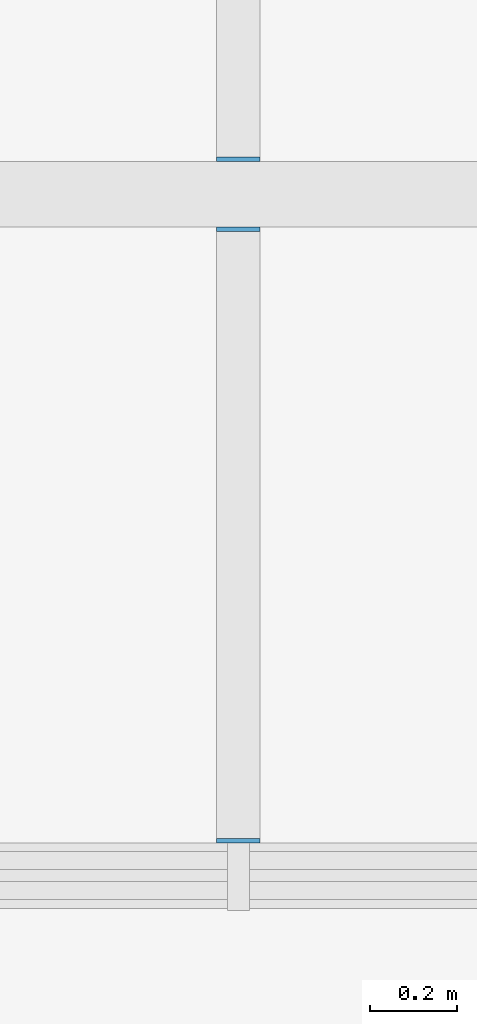
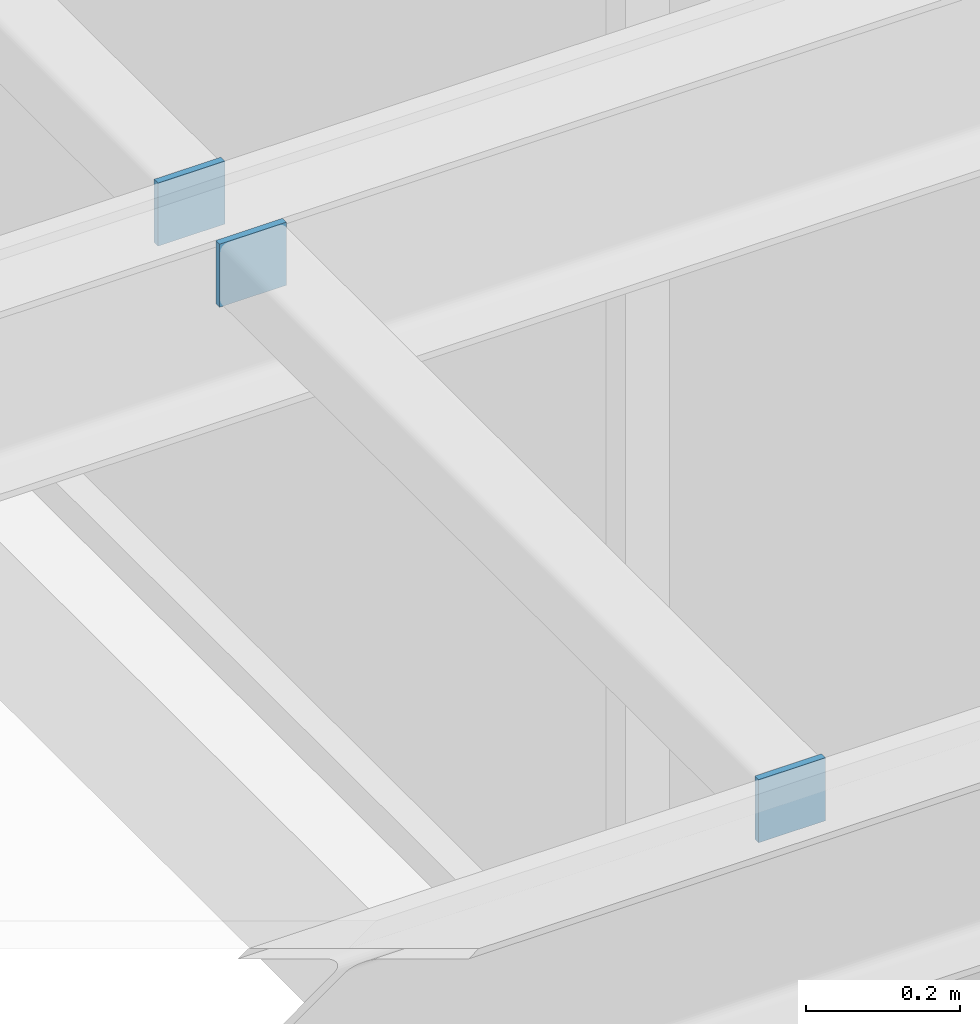
# One storey, part 20 of 25: 3 discrete accessories.
"""IFC4 building model written with IfcOpenShell, lengths in metres."""

from ifc_helpers import new_model, si_unit, direction, frame, origin, origin_2d, place, context, subcontext, project, spatial, rectangle, extrude, material, layer, layer_set, type_object, element, save


model = new_model("IFC4")

# Units and contexts
model_context = context("Model", 3, precision=1e-05, world=origin(), true_north=direction((0.0, 1.0)))
body_context = subcontext(model_context, "Body", "Model", "MODEL_VIEW")
ifc_project = project(units=[si_unit("LENGTHUNIT", "METRE"), si_unit("AREAUNIT", "SQUARE_METRE"), si_unit("VOLUMEUNIT", "CUBIC_METRE"), si_unit("PLANEANGLEUNIT", "RADIAN"), si_unit("MASSUNIT", "GRAM", prefix="KILO")], contexts=[model_context])

# Site, building, storey
site_placement = place(None, origin())
site = spatial("IfcSite", under=ifc_project, at=site_placement, CompositionType="ELEMENT")
building_placement = place(site_placement, origin())
building = spatial("IfcBuilding", under=site, at=building_placement, Name="Aurelan Courthouse", CompositionType="ELEMENT")
storey_placement = place(building_placement, frame((0.0, 0.0, 44.39990234375)))
storey = spatial("IfcBuildingStorey", under=building, at=storey_placement, Name="L08", CompositionType="ELEMENT", Elevation=44.39990234375)

# Discrete accessories
ifc_material = material(Name="Steel S355", Category="steel")
ifc_layer = layer(ifc_material, 0.010009765625)
ifc_layer_set = layer_set([ifc_layer], Name="Steel S355")
discrete_accessory_type = type_object("IfcDiscreteAccessoryType", Name="Purlin end plate 100 x 100 x 10", PredefinedType="ANCHORPLATE", material=ifc_layer_set)
for number, where, z_axis, x_axis, name in (
    (1, (58.5, 44.929931640625, 4.989990234375), (0.0, 0.0, 1.0), (1.0, 0.0, 0.0), "Purlin end plate LPE-V22-0101-1"),
    (2, (58.5, 46.330078125, 4.989990234375), (0.0, 0.0, 1.0), (1.0, 0.0, 0.0), "Purlin end plate LPE-V22-0101-2"),
    (3, (58.5, 46.489990234375, 4.989990234375), (0.0, 0.0, 1.0), (1.0, 0.0, 0.0), "Purlin end plate LPE-V22-0201-1"),
):
    element("IfcDiscreteAccessory", number, at=place(storey_placement, frame(where, z_axis=z_axis, x_axis=x_axis)), inside=storey, type_object=discrete_accessory_type, Name=name, PredefinedType="ANCHORPLATE", context=body_context, shape_type="SweptSolid", body=[
        extrude(rectangle(XDim=0.10009765625, YDim=0.010009765625, at=origin_2d()), origin(), (0.0, 0.0, 1.0), 0.10009765625),
    ])

save(model, "model.ifc")
